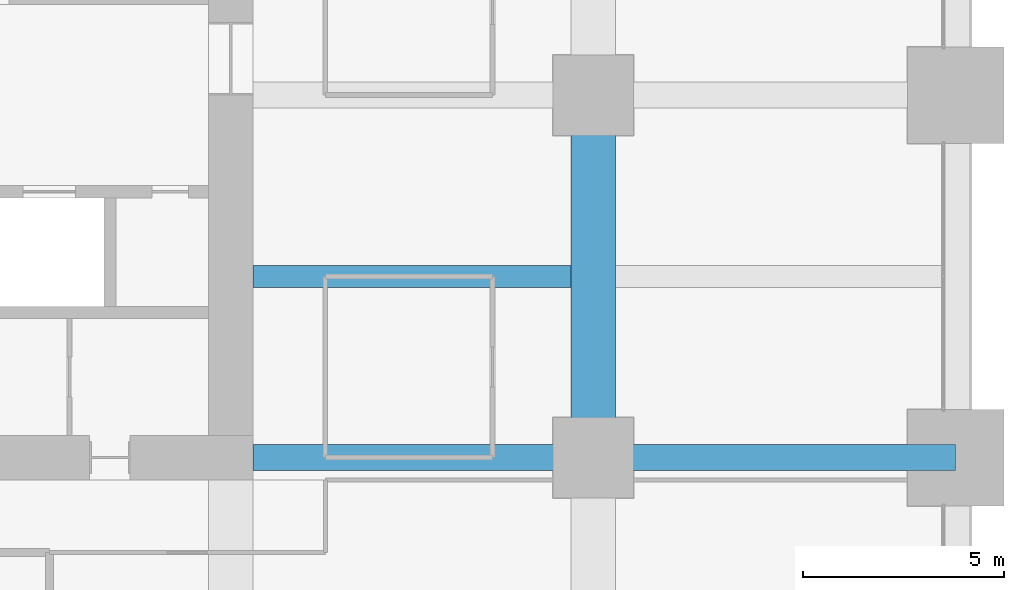
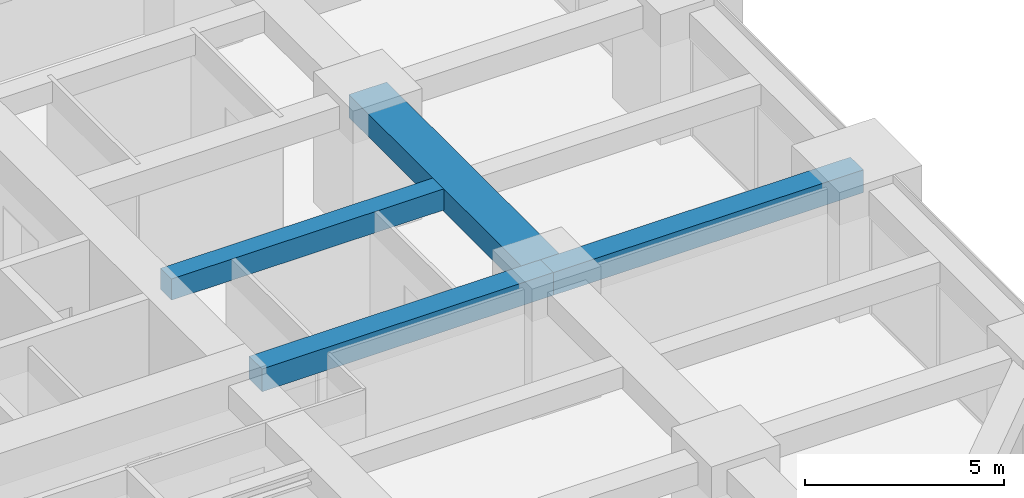
# One storey, part 20 of 41: 4 beams.
"""IFC4 building model written with IfcOpenShell, lengths in metres."""

from ifc_helpers import new_model, si_unit, direction, frame, origin, origin_2d, place, context, subcontext, project, spatial, rectangle, extrude, material, material_profile, profile_set, type_object, element, save


model = new_model("IFC4")

# Units and contexts
model_context = context("Model", 3, precision=1e-05, world=origin(), true_north=direction((0.0, 1.0)))
body_context = subcontext(model_context, "Body", "Model", "MODEL_VIEW")
ifc_project = project(units=[si_unit("LENGTHUNIT", "METRE"), si_unit("AREAUNIT", "SQUARE_METRE"), si_unit("VOLUMEUNIT", "CUBIC_METRE"), si_unit("PLANEANGLEUNIT", "RADIAN"), si_unit("MASSUNIT", "GRAM", prefix="KILO")], contexts=[model_context])

# Site, building, storey
site_placement = place(None, origin())
site = spatial("IfcSite", under=ifc_project, at=site_placement, CompositionType="ELEMENT")
building_placement = place(site_placement, origin())
building = spatial("IfcBuilding", under=site, at=building_placement, Name="Zorevar Civic Tower", CompositionType="ELEMENT")
storey_placement = place(building_placement, frame((0.0, 0.0, 97.0)))
storey = spatial("IfcBuildingStorey", under=building, at=storey_placement, Name="L23", CompositionType="ELEMENT", Elevation=97.0)

# Beams
ifc_material_1 = material(Name="Concrete C50/60", Category="concrete")
ifc_material_profile_1 = material_profile(ifc_material_1, rectangle(XDim=1.10009765625, YDim=0.699951171875, at=origin_2d()), Name="RC 1100x700")
ifc_profile_set_1 = profile_set([ifc_material_profile_1], Name="Concrete C50/60")
beam_type_1 = type_object("IfcBeamType", Name="Beam RC 1100x700", PredefinedType="BEAM", material=ifc_profile_set_1)
beam_1_placement = place(storey_placement, frame((54.0, 18.0, 3.39990234375), z_axis=(0.0, 1.0, 0.0), x_axis=(-1.0, 0.0, 0.0)))
element("IfcBeam", 1, at=beam_1_placement, inside=storey, type_object=beam_type_1, Name="Girder L24", PredefinedType="BEAM", context=body_context, shape_type="SweptSolid", body=[
    extrude(rectangle(XDim=1.10009765625, YDim=0.699951171875, at=origin_2d()), origin(), (0.0, 0.0, 1.0), 9.0),
])
ifc_material_2 = material(Name="Concrete C50/60", Category="concrete")
ifc_material_profile_2 = material_profile(ifc_material_2, rectangle(XDim=0.550048828125, YDim=0.64990234375, at=origin_2d()), Name="RC 550x650")
ifc_profile_set_2 = profile_set([ifc_material_profile_2], Name="Concrete C50/60")
beam_type_2 = type_object("IfcBeamType", Name="Beam RC 550x650", PredefinedType="BEAM", material=ifc_profile_set_2)
beam_2_placement = place(storey_placement, frame((45.550048828125, 22.5, 3.425048828125), z_axis=(1.0, 0.0, 0.0), x_axis=(0.0, 1.0, 0.0)))
element("IfcBeam", 2, at=beam_2_placement, inside=storey, type_object=beam_type_2, Name="Secondary beam L24", PredefinedType="BEAM", context=body_context, shape_type="SweptSolid", body=[
    extrude(rectangle(XDim=0.550048828125, YDim=0.64990234375, at=origin_2d()), origin(), (0.0, 0.0, 1.0), 7.89990234375),
])
ifc_material_3 = material(Name="Concrete C50/60", Category="concrete")
ifc_material_profile_3 = material_profile(ifc_material_3, rectangle(XDim=0.64990234375, YDim=0.699951171875, at=origin_2d()), Name="RC 650x700")
ifc_profile_set_3 = profile_set([ifc_material_profile_3], Name="Concrete C50/60")
beam_type_3 = type_object("IfcBeamType", Name="Beam RC 650x700", PredefinedType="BEAM", material=ifc_profile_set_3)
beam_3_placement = place(storey_placement, frame((45.550048828125, 18.0, 3.39990234375), z_axis=(1.0, 0.0, 0.0), x_axis=(0.0, 1.0, 0.0)))
element("IfcBeam", 3, at=beam_3_placement, inside=storey, type_object=beam_type_3, Name="Girder L24", PredefinedType="BEAM", context=body_context, shape_type="SweptSolid", body=[
    extrude(rectangle(XDim=0.64990234375, YDim=0.699951171875, at=origin_2d()), origin(), (0.0, 0.0, 1.0), 8.449951171875),
])
beam_4_placement = place(storey_placement, frame((54.0, 18.0, 3.39990234375), z_axis=(1.0, 0.0, 0.0), x_axis=(0.0, 1.0, 0.0)))
element("IfcBeam", 4, at=beam_4_placement, inside=storey, type_object=beam_type_3, Name="Girder L24", PredefinedType="BEAM", context=body_context, shape_type="SweptSolid", body=[
    extrude(rectangle(XDim=0.64990234375, YDim=0.699951171875, at=origin_2d()), origin(), (0.0, 0.0, 1.0), 9.0),
])

save(model, "model.ifc")
